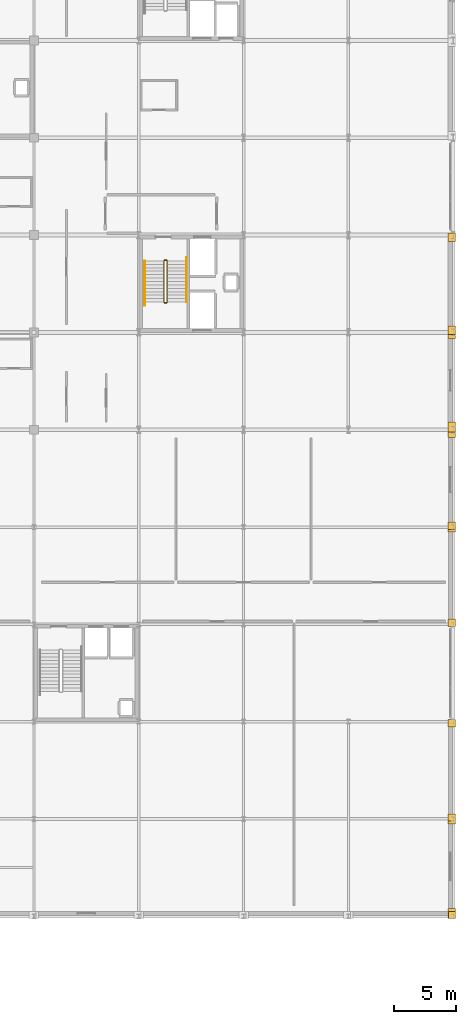
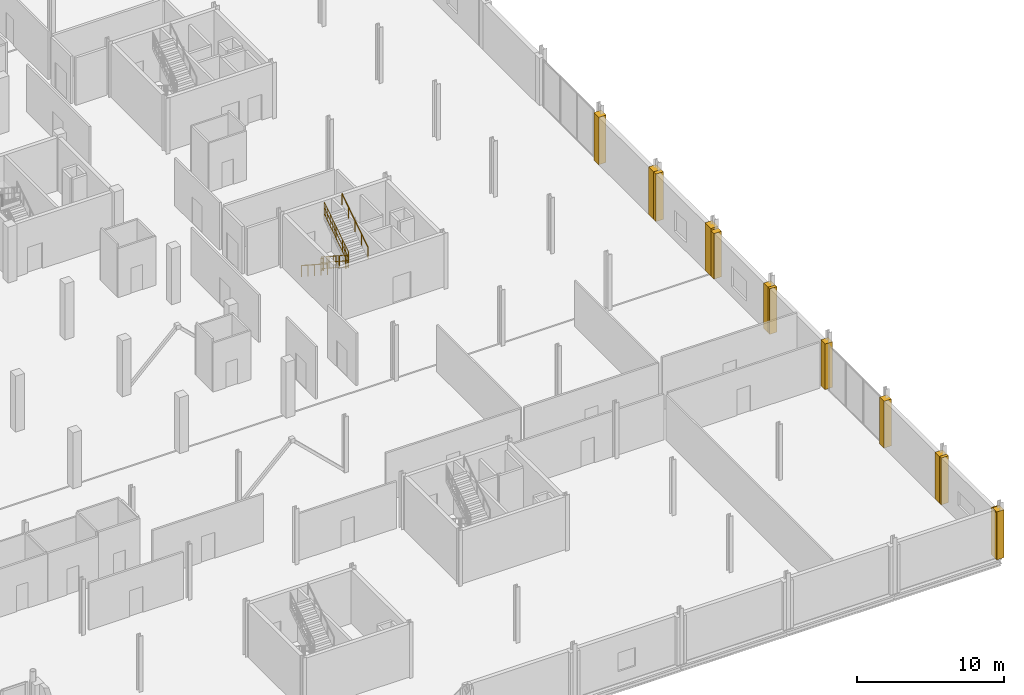
# One storey, part 96 of 98: 13 coverings, 6 railings.
"""IFC4 building model written with IfcOpenShell, lengths in metres."""

from ifc_helpers import new_model, si_unit, direction, frame, origin, origin_2d, place, context, subcontext, project, spatial, polyline, circle, outline, extrude, material, layer, layer_set, type_object, element, save


model = new_model("IFC4")

# Units and contexts
model_context = context("Model", 3, precision=1e-05, world=origin(), true_north=direction((0.0, 1.0)))
body_context = subcontext(model_context, "Body", "Model", "MODEL_VIEW")
ifc_project = project(units=[si_unit("LENGTHUNIT", "METRE"), si_unit("AREAUNIT", "SQUARE_METRE"), si_unit("VOLUMEUNIT", "CUBIC_METRE"), si_unit("PLANEANGLEUNIT", "RADIAN"), si_unit("MASSUNIT", "GRAM", prefix="KILO")], contexts=[model_context])

# Site, building, storey
site_placement = place(None, origin())
site = spatial("IfcSite", under=ifc_project, at=site_placement, CompositionType="ELEMENT")
building_placement = place(site_placement, origin())
building = spatial("IfcBuilding", under=site, at=building_placement, Name="Nabrawat Pavilion Hospital", CompositionType="ELEMENT")
storey_placement = place(building_placement, frame((0.0, 0.0, 10.199951171875)))
storey = spatial("IfcBuildingStorey", under=building, at=storey_placement, Name="L02", CompositionType="ELEMENT", Elevation=10.199951171875)

# Coverings
ifc_material_1 = material(Name="Precast concrete C40/50", Category="concrete")
ifc_layer_1 = layer(ifc_material_1, 0.360107421875, Name="Precast concrete C40/50")
ifc_layer_set_1 = layer_set([ifc_layer_1], Name="Precast concrete C40/50")
covering_type = type_object("IfcCoveringType", Name="Architectural Precast Column-Jamb Closure Reveal", PredefinedType="CLADDING", material=ifc_layer_set_1)
covering_1_placement = place(storey_placement, origin())
element("IfcCovering", 1, at=covering_1_placement, inside=storey, type_object=covering_type, Name="L02 Precast Facade Column-Jamb Weatherseal Closure 0386", PredefinedType="CLADDING", context=body_context, shape_type="SweptSolid", body=[
    extrude(outline(polyline([(193.3798828125, -0.179931640625), (193.3798828125, 0.39990234375), (192.820068359375, 0.39990234375), (192.820068359375, -0.179931640625), (193.3798828125, -0.179931640625)])), origin(), (0.0, 0.0, 1.0), 4.0),
])
covering_2_placement = place(storey_placement, origin())
element("IfcCovering", 2, at=covering_2_placement, inside=storey, type_object=covering_type, Name="L02 Precast Facade Column-Jamb Weatherseal Closure 0403", PredefinedType="CLADDING", context=body_context, shape_type="SweptSolid", body=[
    extrude(outline(polyline([(193.3798828125, -0.179931640625), (193.3798828125, 0.6201171875), (192.800048828125, 0.6201171875), (192.800048828125, -0.179931640625), (193.3798828125, -0.179931640625)])), origin(), (0.0, 0.0, 1.0), 3.900146484375),
])
covering_3_placement = place(storey_placement, origin())
element("IfcCovering", 3, at=covering_3_placement, inside=storey, type_object=covering_type, Name="L02 Precast Facade Column-Jamb Weatherseal Closure 0404", PredefinedType="CLADDING", context=body_context, shape_type="SweptSolid", body=[
    extrude(outline(polyline([(193.3798828125, 7.389892578125), (193.3798828125, 7.97998046875), (192.800048828125, 7.97998046875), (192.800048828125, 7.389892578125), (193.3798828125, 7.389892578125)])), origin(), (0.0, 0.0, 1.0), 3.900146484375),
])
covering_4_placement = place(storey_placement, origin())
element("IfcCovering", 4, at=covering_4_placement, inside=storey, type_object=covering_type, Name="L02 Precast Facade Column-Jamb Weatherseal Closure 0405", PredefinedType="CLADDING", context=body_context, shape_type="SweptSolid", body=[
    extrude(outline(polyline([(193.3798828125, 7.6201171875), (193.3798828125, 8.2099609375), (192.800048828125, 8.2099609375), (192.800048828125, 7.6201171875), (193.3798828125, 7.6201171875)])), origin(), (0.0, 0.0, 1.0), 3.900146484375),
])
covering_5_placement = place(storey_placement, origin())
element("IfcCovering", 5, at=covering_5_placement, inside=storey, type_object=covering_type, Name="L02 Precast Facade Column-Jamb Weatherseal Closure 0406", PredefinedType="CLADDING", context=body_context, shape_type="SweptSolid", body=[
    extrude(outline(polyline([(193.3798828125, 15.18994140625), (193.3798828125, 15.780029296875), (192.800048828125, 15.780029296875), (192.800048828125, 15.18994140625), (193.3798828125, 15.18994140625)])), origin(), (0.0, 0.0, 1.0), 3.900146484375),
])
covering_6_placement = place(storey_placement, origin())
element("IfcCovering", 6, at=covering_6_placement, inside=storey, type_object=covering_type, Name="L02 Precast Facade Column-Jamb Weatherseal Closure 0407", PredefinedType="CLADDING", context=body_context, shape_type="SweptSolid", body=[
    extrude(outline(polyline([(193.3798828125, 23.219970703125), (193.3798828125, 23.81005859375), (192.800048828125, 23.81005859375), (192.800048828125, 23.219970703125), (193.3798828125, 23.219970703125)])), origin(), (0.0, 0.0, 1.0), 3.800048828125),
])
covering_7_placement = place(storey_placement, origin())
element("IfcCovering", 7, at=covering_7_placement, inside=storey, type_object=covering_type, Name="L02 Precast Facade Column-Jamb Weatherseal Closure 0408", PredefinedType="CLADDING", context=body_context, shape_type="SweptSolid", body=[
    extrude(outline(polyline([(193.3798828125, 30.7900390625), (193.3798828125, 31.3798828125), (192.800048828125, 31.3798828125), (192.800048828125, 30.7900390625), (193.3798828125, 30.7900390625)])), origin(), (0.0, 0.0, 1.0), 3.800048828125),
])
covering_8_placement = place(storey_placement, origin())
element("IfcCovering", 8, at=covering_8_placement, inside=storey, type_object=covering_type, Name="L02 Precast Facade Column-Jamb Weatherseal Closure 0409", PredefinedType="CLADDING", context=body_context, shape_type="SweptSolid", body=[
    extrude(outline(polyline([(193.3798828125, 31.02001953125), (193.3798828125, 31.610107421875), (192.800048828125, 31.610107421875), (192.800048828125, 31.02001953125), (193.3798828125, 31.02001953125)])), origin(), (0.0, 0.0, 1.0), 3.800048828125),
])
covering_9_placement = place(storey_placement, origin())
element("IfcCovering", 9, at=covering_9_placement, inside=storey, type_object=covering_type, Name="L02 Precast Facade Column-Jamb Weatherseal Closure 0410", PredefinedType="CLADDING", context=body_context, shape_type="SweptSolid", body=[
    extrude(outline(polyline([(193.3798828125, 38.3798828125), (193.3798828125, 39.179931640625), (192.800048828125, 39.179931640625), (192.800048828125, 38.3798828125), (193.3798828125, 38.3798828125)])), origin(), (0.0, 0.0, 1.0), 3.800048828125),
])
covering_10_placement = place(storey_placement, origin())
element("IfcCovering", 10, at=covering_10_placement, inside=storey, type_object=covering_type, Name="L02 Precast Facade Column-Jamb Weatherseal Closure 0411", PredefinedType="CLADDING", context=body_context, shape_type="SweptSolid", body=[
    extrude(outline(polyline([(193.3798828125, 38.820068359375), (193.3798828125, 39.6201171875), (192.800048828125, 39.6201171875), (192.800048828125, 38.820068359375), (193.3798828125, 38.820068359375)])), origin(), (0.0, 0.0, 1.0), 3.949951171875),
])
covering_11_placement = place(storey_placement, origin())
element("IfcCovering", 11, at=covering_11_placement, inside=storey, type_object=covering_type, Name="L02 Precast Facade Column-Jamb Weatherseal Closure 0412", PredefinedType="CLADDING", context=body_context, shape_type="SweptSolid", body=[
    extrude(outline(polyline([(193.3798828125, 46.294921875), (193.3798828125, 46.97998046875), (192.800048828125, 46.97998046875), (192.800048828125, 46.294921875), (193.3798828125, 46.294921875)])), origin(), (0.0, 0.0, 1.0), 3.949951171875),
])
covering_12_placement = place(storey_placement, origin())
element("IfcCovering", 12, at=covering_12_placement, inside=storey, type_object=covering_type, Name="L02 Precast Facade Column-Jamb Weatherseal Closure 0413", PredefinedType="CLADDING", context=body_context, shape_type="SweptSolid", body=[
    extrude(outline(polyline([(193.3798828125, 46.6201171875), (193.3798828125, 47.304931640625), (192.800048828125, 47.304931640625), (192.800048828125, 46.6201171875), (193.3798828125, 46.6201171875)])), origin(), (0.0, 0.0, 1.0), 3.949951171875),
])
covering_13_placement = place(storey_placement, origin())
element("IfcCovering", 13, at=covering_13_placement, inside=storey, type_object=covering_type, Name="L02 Precast Facade Column-Jamb Weatherseal Closure 0414", PredefinedType="CLADDING", context=body_context, shape_type="SweptSolid", body=[
    extrude(outline(polyline([(193.3798828125, 54.094970703125), (193.3798828125, 54.780029296875), (192.800048828125, 54.780029296875), (192.800048828125, 54.094970703125), (193.3798828125, 54.094970703125)])), origin(), (0.0, 0.0, 1.0), 3.949951171875),
])

# Railings
ifc_material_2 = material(Name="Stainless Steel 316", Category="steel")
ifc_layer_2 = layer(ifc_material_2, 0.050048828125, Name="Stainless Steel 316")
ifc_layer_set_2 = layer_set([ifc_layer_2], Name="Stainless Steel 316")
railing_type_1 = type_object("IfcRailingType", Name="Stair Open-Well Safety Guardrail 1100", PredefinedType="GUARDRAIL", material=ifc_layer_set_2)
railing_1_placement = place(storey_placement, frame((170.02490234375, 52.530029296875, 0.178955078125)))
element("IfcRailing", 14, at=railing_1_placement, inside=storey, type_object=railing_type_1, Name="L02 ST-05 stair guard 1", PredefinedType="GUARDRAIL", context=body_context, shape_type="SweptSolid", body=[
    extrude(circle(Radius=0.02392578125, at=origin_2d()), frame((0.0, 0.0, 1.076171875), z_axis=(0.0, -0.838331656441, 0.545160557825), x_axis=(1.0, 0.0, 0.0)), (0.0, 0.0, 1.0), 3.9365234375),
    extrude(circle(Radius=0.02392578125, at=origin_2d()), frame((0.0, 0.0, 0.10009765625), z_axis=(0.0, -0.838331656441, 0.545160557825), x_axis=(1.0, 0.0, 0.0)), (0.0, 0.0, 1.0), 3.9365234375),
    extrude(circle(Radius=0.02392578125, at=origin_2d()), frame((0.0, 0.0, 0.60498046875), z_axis=(0.0, -0.838331656441, 0.545160557825), x_axis=(1.0, 0.0, 0.0)), (0.0, 0.0, 1.0), 3.9365234375),
    extrude(circle(Radius=0.008056640625, at=origin_2d()), frame((0.0, -0.194091796875, 0.226318359375)), (0.0, 0.0, 1.0), 0.951904296875),
    extrude(circle(Radius=0.008056640625, at=origin_2d()), frame((0.0, -0.38818359375, 0.3525390625)), (0.0, 0.0, 1.0), 0.951904296875),
    extrude(circle(Radius=0.008056640625, at=origin_2d()), frame((0.0, -0.582275390625, 0.478759765625)), (0.0, 0.0, 1.0), 0.951904296875),
    extrude(circle(Radius=0.008056640625, at=origin_2d()), frame((0.0, -0.7763671875, 0.60498046875)), (0.0, 0.0, 1.0), 0.951904296875),
    extrude(circle(Radius=0.008056640625, at=origin_2d()), frame((0.0, -0.970703125, 0.731201171875)), (0.0, 0.0, 1.0), 0.951904296875),
    extrude(circle(Radius=0.008056640625, at=origin_2d()), frame((0.0, -1.164794921875, 0.857421875)), (0.0, 0.0, 1.0), 0.951904296875),
    extrude(circle(Radius=0.008056640625, at=origin_2d()), frame((0.0, -1.35888671875, 0.983642578125)), (0.0, 0.0, 1.0), 0.951904296875),
    extrude(circle(Radius=0.008056640625, at=origin_2d()), frame((0.0, -1.552978515625, 1.10986328125)), (0.0, 0.0, 1.0), 0.951904296875),
    extrude(circle(Radius=0.008056640625, at=origin_2d()), frame((0.0, -1.7470703125, 1.236083984375)), (0.0, 0.0, 1.0), 0.951904296875),
    extrude(circle(Radius=0.008056640625, at=origin_2d()), frame((0.0, -1.941162109375, 1.3623046875)), (0.0, 0.0, 1.0), 0.951904296875),
    extrude(circle(Radius=0.008056640625, at=origin_2d()), frame((0.0, -2.13525390625, 1.488525390625)), (0.0, 0.0, 1.0), 0.951904296875),
    extrude(circle(Radius=0.008056640625, at=origin_2d()), frame((0.0, -2.329345703125, 1.61474609375)), (0.0, 0.0, 1.0), 0.951904296875),
    extrude(circle(Radius=0.008056640625, at=origin_2d()), frame((0.0, -2.523681640625, 1.740966796875)), (0.0, 0.0, 1.0), 0.951904296875),
    extrude(circle(Radius=0.008056640625, at=origin_2d()), frame((0.0, -2.7177734375, 1.8671875)), (0.0, 0.0, 1.0), 0.951904296875),
    extrude(circle(Radius=0.008056640625, at=origin_2d()), frame((0.0, -2.911865234375, 1.993408203125)), (0.0, 0.0, 1.0), 0.951904296875),
    extrude(circle(Radius=0.008056640625, at=origin_2d()), frame((0.0, -3.10595703125, 2.119873046875)), (0.0, 0.0, 1.0), 0.951904296875),
    extrude(circle(Radius=0.02099609375, at=origin_2d()), origin(), (0.0, 0.0, 1.0), 1.052001953125),
    extrude(circle(Radius=0.02099609375, at=origin_2d()), frame((0.0, -0.824951171875, 0.53662109375)), (0.0, 0.0, 1.0), 1.052001953125),
    extrude(circle(Radius=0.02099609375, at=origin_2d()), frame((0.0, -1.64990234375, 1.072998046875)), (0.0, 0.0, 1.0), 1.052001953125),
    extrude(circle(Radius=0.02099609375, at=origin_2d()), frame((0.0, -2.47509765625, 1.609375)), (0.0, 0.0, 1.0), 1.052001953125),
    extrude(circle(Radius=0.02099609375, at=origin_2d()), frame((0.0, -3.300048828125, 2.14599609375)), (0.0, 0.0, 1.0), 1.052001953125),
])
railing_2_placement = place(storey_placement, frame((170.050048828125, 49.179931640625, 2.324951171875)))
element("IfcRailing", 15, at=railing_2_placement, inside=storey, type_object=railing_type_1, Name="L02 ST-05 stair guard 2", PredefinedType="GUARDRAIL", context=body_context, shape_type="SweptSolid", body=[
    extrude(circle(Radius=0.02392578125, at=origin_2d()), frame((0.0, 0.0, 1.076171875), z_axis=(1.0, 0.0, 0.0), x_axis=(0.0, 1.0, 0.0)), (0.0, 0.0, 1.0), 0.199951171875),
    extrude(circle(Radius=0.02392578125, at=origin_2d()), frame((0.0, 0.0, 0.10009765625), z_axis=(1.0, 0.0, 0.0), x_axis=(0.0, 1.0, 0.0)), (0.0, 0.0, 1.0), 0.199951171875),
    extrude(circle(Radius=0.02392578125, at=origin_2d()), frame((0.0, 0.0, 0.60498046875), z_axis=(1.0, 0.0, 0.0), x_axis=(0.0, 1.0, 0.0)), (0.0, 0.0, 1.0), 0.199951171875),
    extrude(circle(Radius=0.008056640625, at=origin_2d()), frame((0.10009765625, 0.0, 0.10009765625)), (0.0, 0.0, 1.0), 0.951904296875),
    extrude(circle(Radius=0.02099609375, at=origin_2d()), origin(), (0.0, 0.0, 1.0), 1.052001953125),
    extrude(circle(Radius=0.02099609375, at=origin_2d()), frame((0.199951171875, 0.0, 0.0)), (0.0, 0.0, 1.0), 1.052001953125),
])
railing_3_placement = place(storey_placement, frame((170.27490234375, 49.22998046875, 2.50390625)))
element("IfcRailing", 16, at=railing_3_placement, inside=storey, type_object=railing_type_1, Name="L02 ST-05 stair guard 3", PredefinedType="GUARDRAIL", context=body_context, shape_type="SweptSolid", body=[
    extrude(circle(Radius=0.02392578125, at=origin_2d()), frame((0.0, 0.0, 1.076171875), z_axis=(0.0, 0.838303311307, 0.545204143649), x_axis=(-1.0, 0.0, 0.0)), (0.0, 0.0, 1.0), 3.9365234375),
    extrude(circle(Radius=0.02392578125, at=origin_2d()), frame((0.0, 0.0, 0.10009765625), z_axis=(0.0, 0.838303311307, 0.545204143649), x_axis=(-1.0, 0.0, 0.0)), (0.0, 0.0, 1.0), 3.9365234375),
    extrude(circle(Radius=0.02392578125, at=origin_2d()), frame((0.0, 0.0, 0.60498046875), z_axis=(0.0, 0.838303311307, 0.545204143649), x_axis=(-1.0, 0.0, 0.0)), (0.0, 0.0, 1.0), 3.9365234375),
    extrude(circle(Radius=0.008056640625, at=origin_2d()), frame((0.0, 0.194091796875, 0.226318359375)), (0.0, 0.0, 1.0), 0.951904296875),
    extrude(circle(Radius=0.008056640625, at=origin_2d()), frame((0.0, 0.38818359375, 0.3525390625)), (0.0, 0.0, 1.0), 0.951904296875),
    extrude(circle(Radius=0.008056640625, at=origin_2d()), frame((0.0, 0.582275390625, 0.478759765625)), (0.0, 0.0, 1.0), 0.951904296875),
    extrude(circle(Radius=0.008056640625, at=origin_2d()), frame((0.0, 0.7763671875, 0.60498046875)), (0.0, 0.0, 1.0), 0.951904296875),
    extrude(circle(Radius=0.008056640625, at=origin_2d()), frame((0.0, 0.970703125, 0.731201171875)), (0.0, 0.0, 1.0), 0.951904296875),
    extrude(circle(Radius=0.008056640625, at=origin_2d()), frame((0.0, 1.164794921875, 0.857421875)), (0.0, 0.0, 1.0), 0.951904296875),
    extrude(circle(Radius=0.008056640625, at=origin_2d()), frame((0.0, 1.35888671875, 0.983642578125)), (0.0, 0.0, 1.0), 0.951904296875),
    extrude(circle(Radius=0.008056640625, at=origin_2d()), frame((0.0, 1.552978515625, 1.110107421875)), (0.0, 0.0, 1.0), 0.951904296875),
    extrude(circle(Radius=0.008056640625, at=origin_2d()), frame((0.0, 1.7470703125, 1.236328125)), (0.0, 0.0, 1.0), 0.951904296875),
    extrude(circle(Radius=0.008056640625, at=origin_2d()), frame((0.0, 1.941162109375, 1.362548828125)), (0.0, 0.0, 1.0), 0.951904296875),
    extrude(circle(Radius=0.008056640625, at=origin_2d()), frame((0.0, 2.13525390625, 1.48876953125)), (0.0, 0.0, 1.0), 0.951904296875),
    extrude(circle(Radius=0.008056640625, at=origin_2d()), frame((0.0, 2.329345703125, 1.614990234375)), (0.0, 0.0, 1.0), 0.951904296875),
    extrude(circle(Radius=0.008056640625, at=origin_2d()), frame((0.0, 2.523681640625, 1.7412109375)), (0.0, 0.0, 1.0), 0.951904296875),
    extrude(circle(Radius=0.008056640625, at=origin_2d()), frame((0.0, 2.7177734375, 1.867431640625)), (0.0, 0.0, 1.0), 0.951904296875),
    extrude(circle(Radius=0.008056640625, at=origin_2d()), frame((0.0, 2.911865234375, 1.99365234375)), (0.0, 0.0, 1.0), 0.951904296875),
    extrude(circle(Radius=0.008056640625, at=origin_2d()), frame((0.0, 3.10595703125, 2.119873046875)), (0.0, 0.0, 1.0), 0.951904296875),
    extrude(circle(Radius=0.02099609375, at=origin_2d()), origin(), (0.0, 0.0, 1.0), 1.052001953125),
    extrude(circle(Radius=0.02099609375, at=origin_2d()), frame((0.0, 0.824951171875, 0.53662109375)), (0.0, 0.0, 1.0), 1.052001953125),
    extrude(circle(Radius=0.02099609375, at=origin_2d()), frame((0.0, 1.64990234375, 1.0732421875)), (0.0, 0.0, 1.0), 1.052001953125),
    extrude(circle(Radius=0.02099609375, at=origin_2d()), frame((0.0, 2.47509765625, 1.609619140625)), (0.0, 0.0, 1.0), 1.052001953125),
    extrude(circle(Radius=0.02099609375, at=origin_2d()), frame((0.0, 3.300048828125, 2.146240234375)), (0.0, 0.0, 1.0), 1.052001953125),
])
railing_4_placement = place(storey_placement, frame((170.050048828125, 52.580078125, 0.0)))
element("IfcRailing", 17, at=railing_4_placement, inside=storey, type_object=railing_type_1, Name="L02 ST-05 stair guard 4", PredefinedType="GUARDRAIL", context=body_context, shape_type="SweptSolid", body=[
    extrude(circle(Radius=0.02392578125, at=origin_2d()), frame((0.0, 0.0, 1.076171875), z_axis=(1.0, 0.0, 0.0), x_axis=(0.0, 1.0, 0.0)), (0.0, 0.0, 1.0), 0.199951171875),
    extrude(circle(Radius=0.02392578125, at=origin_2d()), frame((0.0, 0.0, 0.10009765625), z_axis=(1.0, 0.0, 0.0), x_axis=(0.0, 1.0, 0.0)), (0.0, 0.0, 1.0), 0.199951171875),
    extrude(circle(Radius=0.02392578125, at=origin_2d()), frame((0.0, 0.0, 0.60498046875), z_axis=(1.0, 0.0, 0.0), x_axis=(0.0, 1.0, 0.0)), (0.0, 0.0, 1.0), 0.199951171875),
    extrude(circle(Radius=0.008056640625, at=origin_2d()), frame((0.10009765625, 0.0, 0.10009765625)), (0.0, 0.0, 1.0), 0.951904296875),
    extrude(circle(Radius=0.02099609375, at=origin_2d()), origin(), (0.0, 0.0, 1.0), 1.052001953125),
    extrude(circle(Radius=0.02099609375, at=origin_2d()), frame((0.199951171875, 0.0, 0.0)), (0.0, 0.0, 1.0), 1.052001953125),
])
ifc_layer_3 = layer(ifc_material_2, 0.044921875, Name="Stainless Steel 316")
ifc_layer_set_3 = layer_set([ifc_layer_3], Name="Stainless Steel 316")
railing_type_2 = type_object("IfcRailingType", Name="Stair Pitch Continuous Handrail 920", PredefinedType="HANDRAIL", material=ifc_layer_set_3)
railing_5_placement = place(storey_placement, frame((168.47509765625, 52.530029296875, 0.182861328125)))
element("IfcRailing", 18, at=railing_5_placement, inside=storey, type_object=railing_type_2, Name="L02 ST-05 stair handrail 1", PredefinedType="HANDRAIL", context=body_context, shape_type="SweptSolid", body=[
    extrude(circle(Radius=0.02392578125, at=origin_2d()), frame((0.0, 0.0, 0.89599609375), z_axis=(0.0, -0.838311484064, 0.54519157705), x_axis=(1.0, 0.0, 0.0)), (0.0, 0.0, 1.0), 4.264404296875),
    extrude(circle(Radius=0.02099609375, at=origin_2d()), origin(), (0.0, 0.0, 1.0), 0.871826171875),
    extrude(circle(Radius=0.02099609375, at=origin_2d()), frame((0.0, -0.893798828125, 0.581298828125)), (0.0, 0.0, 1.0), 0.871826171875),
    extrude(circle(Radius=0.02099609375, at=origin_2d()), frame((0.0, -1.78759765625, 1.16259765625)), (0.0, 0.0, 1.0), 0.871826171875),
    extrude(circle(Radius=0.02099609375, at=origin_2d()), frame((0.0, -2.68115234375, 1.74365234375)), (0.0, 0.0, 1.0), 0.871826171875),
    extrude(circle(Radius=0.02099609375, at=origin_2d()), frame((0.0, -3.574951171875, 2.324951171875)), (0.0, 0.0, 1.0), 0.871826171875),
])
railing_6_placement = place(storey_placement, frame((171.824951171875, 49.22998046875, 2.5078125)))
element("IfcRailing", 19, at=railing_6_placement, inside=storey, type_object=railing_type_2, Name="L02 ST-05 stair handrail 2", PredefinedType="HANDRAIL", context=body_context, shape_type="SweptSolid", body=[
    extrude(circle(Radius=0.02392578125, at=origin_2d()), frame((0.0, 0.0, 0.89599609375), z_axis=(0.0, 0.838311484064, 0.54519157705), x_axis=(-1.0, 0.0, 0.0)), (0.0, 0.0, 1.0), 4.264404296875),
    extrude(circle(Radius=0.02099609375, at=origin_2d()), origin(), (0.0, 0.0, 1.0), 0.871826171875),
    extrude(circle(Radius=0.02099609375, at=origin_2d()), frame((0.0, 0.893798828125, 0.581298828125)), (0.0, 0.0, 1.0), 0.871826171875),
    extrude(circle(Radius=0.02099609375, at=origin_2d()), frame((0.0, 1.78759765625, 1.16259765625)), (0.0, 0.0, 1.0), 0.871826171875),
    extrude(circle(Radius=0.02099609375, at=origin_2d()), frame((0.0, 2.68115234375, 1.74365234375)), (0.0, 0.0, 1.0), 0.871826171875),
    extrude(circle(Radius=0.02099609375, at=origin_2d()), frame((0.0, 3.574951171875, 2.324951171875)), (0.0, 0.0, 1.0), 0.871826171875),
])

save(model, "model.ifc")
